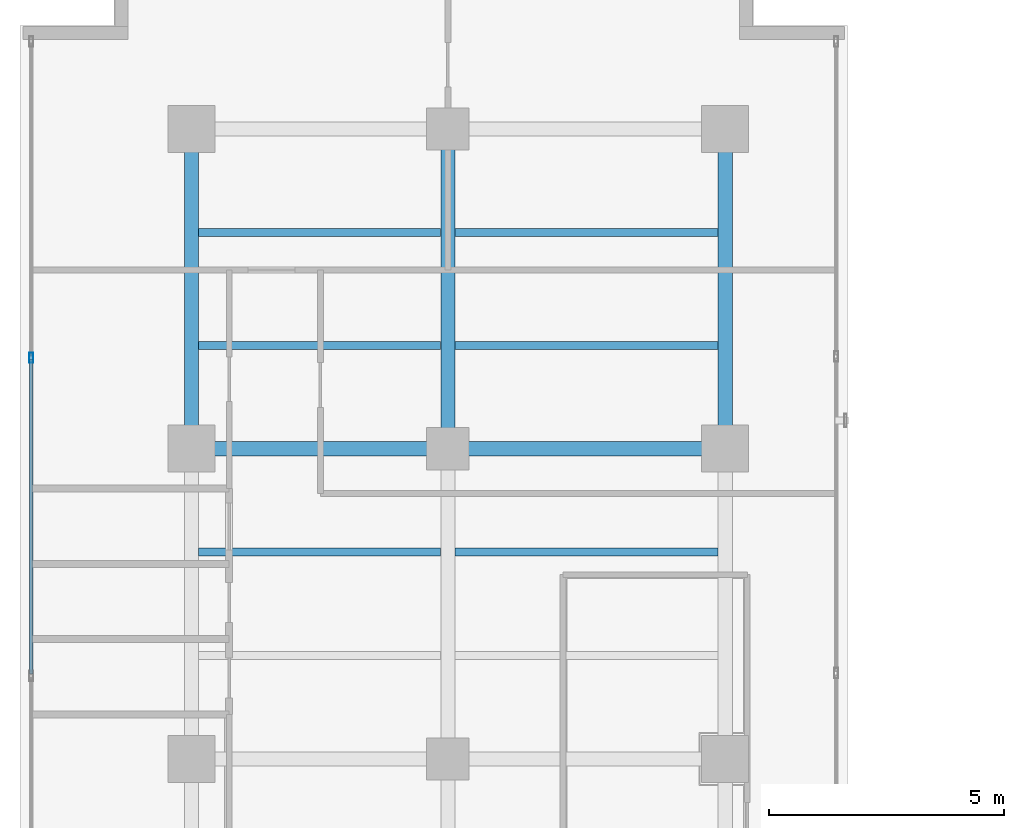
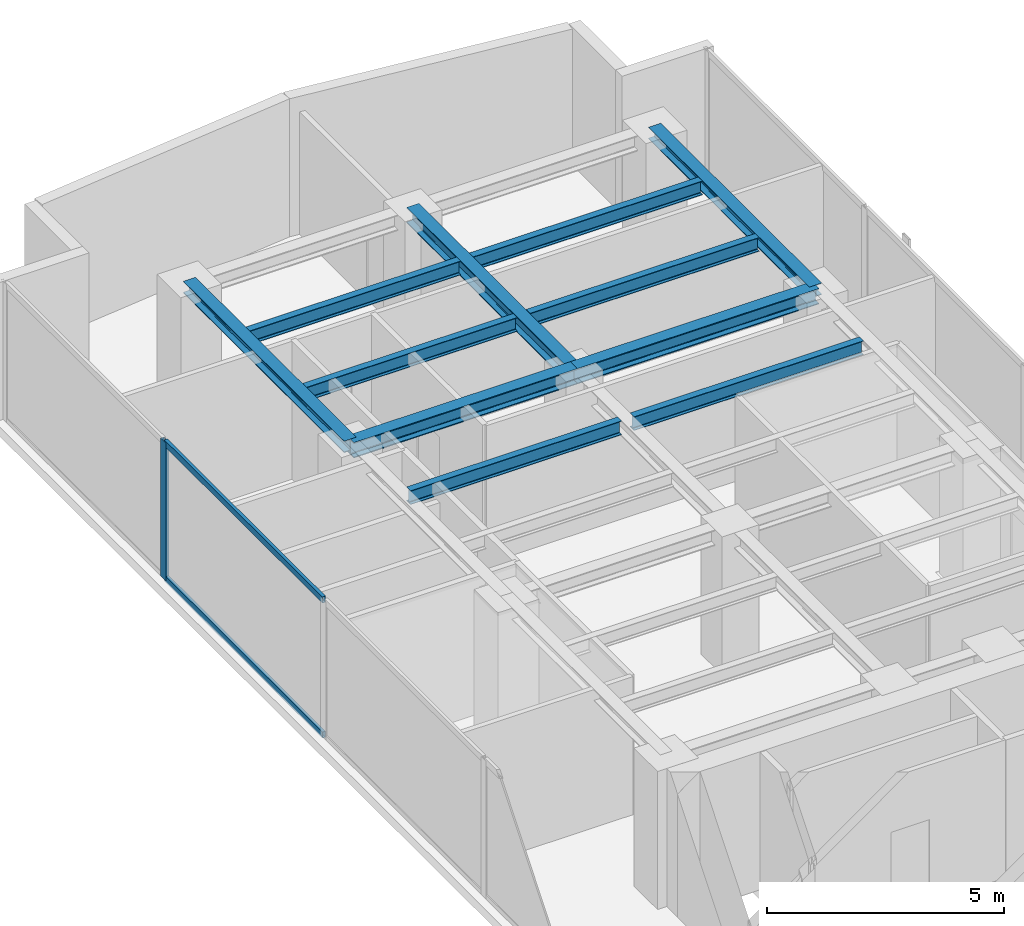
# One storey, part 12 of 23: 11 beams, 3 members, 1 element without a shape of its own.
"""IFC4 building model written with IfcOpenShell, lengths in metres."""

from ifc_helpers import new_model, si_unit, direction, frame, origin, origin_with_axes, origin_2d, place, context, subcontext, project, spatial, hollow_rectangle, i_section, extrude, source, transform, mapped, material, layer, layer_set, material_profile, profile_set, type_object, element, aggregate, save


model = new_model("IFC4")

# Units and contexts
model_context = context("Model", 3, precision=1e-05, world=origin(), true_north=direction((0.0, 1.0)))
body_context = subcontext(model_context, "Body", "Model", "MODEL_VIEW")
ifc_project = project(units=[si_unit("LENGTHUNIT", "METRE"), si_unit("AREAUNIT", "SQUARE_METRE"), si_unit("VOLUMEUNIT", "CUBIC_METRE"), si_unit("PLANEANGLEUNIT", "RADIAN"), si_unit("MASSUNIT", "GRAM", prefix="KILO")], contexts=[model_context])

# Site, building, storey
site_placement = place(None, origin())
site = spatial("IfcSite", under=ifc_project, at=site_placement, CompositionType="ELEMENT")
building_placement = place(site_placement, origin())
building = spatial("IfcBuilding", under=site, at=building_placement, Name="Kolvaren Waterfront Exchange", CompositionType="ELEMENT")
storey_placement = place(building_placement, frame((0.0, 0.0, 212.10009765625)))
storey = spatial("IfcBuildingStorey", under=building, at=storey_placement, Name="L54", CompositionType="ELEMENT", Elevation=212.10009765625)

# Beams
ifc_material_1 = material(Name="Steel S355", Category="steel")
ifc_material_profile_1 = material_profile(ifc_material_1, i_section(OverallWidth=0.300048828125, OverallDepth=0.300048828125, WebThickness=0.010986328125, FlangeThickness=0.01904296875, FilletRadius=0.027099609375, at=origin_2d()), Name="HEB300")
ifc_profile_set_1 = profile_set([ifc_material_profile_1], Name="Steel S355")
beam_type_1 = type_object("IfcBeamType", Name="STR-BM-HEB300", PredefinedType="SPANDREL", material=ifc_profile_set_1)
for number, where, z_axis, x_axis, name in (
    (1, (7.449951171875, 37.800048828125, 3.409912109375), (0.0, 1.0, 0.0), (-1.0, 0.0, 0.0), "L54 north-arm edge beam 3"),
    (2, (18.800048828125, 37.800048828125, 3.409912109375), (0.0, 1.0, 0.0), (-1.0, 0.0, 0.0), "L54 north-arm edge beam 3"),
):
    element("IfcBeam", number, at=place(storey_placement, frame(where, z_axis=z_axis, x_axis=x_axis)), inside=storey, type_object=beam_type_1, Name=name, PredefinedType="SPANDREL", context=body_context, shape_type="SweptSolid", body=[
        extrude(i_section(OverallWidth=0.300048828125, OverallDepth=0.300048828125, WebThickness=0.010986328125, FlangeThickness=0.01904296875, FilletRadius=0.027099609375, at=origin_2d()), origin(), (0.0, 0.0, 1.0), 6.800048828125),
    ])
ifc_material_profile_2 = material_profile(ifc_material_1, i_section(OverallWidth=0.300048828125, OverallDepth=0.39990234375, WebThickness=0.013427734375, FlangeThickness=0.02392578125, FilletRadius=0.027099609375, at=origin_2d()), Name="HEB400")
ifc_profile_set_2 = profile_set([ifc_material_profile_2], Name="Steel S355")
beam_type_2 = type_object("IfcBeamType", Name="STR-BM-HEB400", PredefinedType="BEAM", material=ifc_profile_set_2)
beam_1_placement = place(storey_placement, frame((7.449951171875, 37.800048828125, 3.35986328125), z_axis=(1.0, 0.0, 0.0), x_axis=(0.0, 1.0, 0.0)))
element("IfcBeam", 3, at=beam_1_placement, inside=storey, type_object=beam_type_2, Name="L54 north-arm girder 3A", PredefinedType="BEAM", context=body_context, shape_type="SweptSolid", body=[
    extrude(i_section(OverallWidth=0.300048828125, OverallDepth=0.39990234375, WebThickness=0.013427734375, FlangeThickness=0.02392578125, FilletRadius=0.027099609375, at=origin_2d()), origin(), (0.0, 0.0, 1.0), 5.449951171875),
])
beam_2_placement = place(storey_placement, frame((12.89990234375, 37.800048828125, 3.35986328125), z_axis=(1.0, 0.0, 0.0), x_axis=(0.0, 1.0, 0.0)))
element("IfcBeam", 4, at=beam_2_placement, inside=storey, type_object=beam_type_2, Name="L54 north-arm girder 3B", PredefinedType="BEAM", context=body_context, shape_type="SweptSolid", body=[
    extrude(i_section(OverallWidth=0.300048828125, OverallDepth=0.39990234375, WebThickness=0.013427734375, FlangeThickness=0.02392578125, FilletRadius=0.027099609375, at=origin_2d()), origin(), (0.0, 0.0, 1.0), 5.900146484375),
])
beam_3_placement = place(storey_placement, frame((12.89990234375, 37.800048828125, 3.35986328125), z_axis=(0.0, 1.0, 0.0), x_axis=(-1.0, 0.0, 0.0)))
element("IfcBeam", 5, at=beam_3_placement, inside=storey, type_object=beam_type_2, Name="L54 north-arm edge beam 3", PredefinedType="BEAM", context=body_context, shape_type="SweptSolid", body=[
    extrude(i_section(OverallWidth=0.300048828125, OverallDepth=0.39990234375, WebThickness=0.013427734375, FlangeThickness=0.02392578125, FilletRadius=0.027099609375, at=origin_2d()), origin(), (0.0, 0.0, 1.0), 6.800048828125),
])
ifc_material_profile_3 = material_profile(ifc_material_1, i_section(OverallWidth=0.169921875, OverallDepth=0.360107421875, WebThickness=0.008056640625, FlangeThickness=0.0126953125, FilletRadius=0.01806640625, at=origin_2d()), Name="IPE360")
ifc_profile_set_3 = profile_set([ifc_material_profile_3], Name="Steel S355")
beam_type_3 = type_object("IfcBeamType", Name="STR-BM-IPE360", PredefinedType="JOIST", material=ifc_profile_set_3)
beam_4_placement = place(storey_placement, frame((7.60205078125, 35.60009765625, 3.3798828125), z_axis=(1.0, 0.0, 0.0), x_axis=(0.0, 1.0, 0.0)))
element("IfcBeam", 6, at=beam_4_placement, inside=storey, type_object=beam_type_3, Name="L54 north-arm composite joist 4A", PredefinedType="JOIST", context=body_context, shape_type="SweptSolid", body=[
    extrude(i_section(OverallWidth=0.169921875, OverallDepth=0.360107421875, WebThickness=0.008056640625, FlangeThickness=0.0126953125, FilletRadius=0.01806640625, at=origin_2d()), origin(), (0.0, 0.0, 1.0), 5.14599609375),
])
beam_5_placement = place(storey_placement, frame((13.052001953125, 35.60009765625, 3.3798828125), z_axis=(1.0, 0.0, 0.0), x_axis=(0.0, 1.0, 0.0)))
element("IfcBeam", 7, at=beam_5_placement, inside=storey, type_object=beam_type_3, Name="L54 north-arm composite joist 4B", PredefinedType="JOIST", context=body_context, shape_type="SweptSolid", body=[
    extrude(i_section(OverallWidth=0.169921875, OverallDepth=0.360107421875, WebThickness=0.008056640625, FlangeThickness=0.0126953125, FilletRadius=0.01806640625, at=origin_2d()), origin(), (0.0, 0.0, 1.0), 5.595947265625),
])
beam_6_placement = place(storey_placement, frame((7.60205078125, 40.0, 3.3798828125), z_axis=(1.0, 0.0, 0.0), x_axis=(0.0, 1.0, 0.0)))
element("IfcBeam", 8, at=beam_6_placement, inside=storey, type_object=beam_type_3, Name="L54 north-arm composite joist 5A", PredefinedType="JOIST", context=body_context, shape_type="SweptSolid", body=[
    extrude(i_section(OverallWidth=0.169921875, OverallDepth=0.360107421875, WebThickness=0.008056640625, FlangeThickness=0.0126953125, FilletRadius=0.01806640625, at=origin_2d()), origin(), (0.0, 0.0, 1.0), 5.14599609375),
])
beam_7_placement = place(storey_placement, frame((13.052001953125, 40.0, 3.3798828125), z_axis=(1.0, 0.0, 0.0), x_axis=(0.0, 1.0, 0.0)))
element("IfcBeam", 9, at=beam_7_placement, inside=storey, type_object=beam_type_3, Name="L54 north-arm composite joist 5B", PredefinedType="JOIST", context=body_context, shape_type="SweptSolid", body=[
    extrude(i_section(OverallWidth=0.169921875, OverallDepth=0.360107421875, WebThickness=0.008056640625, FlangeThickness=0.0126953125, FilletRadius=0.01806640625, at=origin_2d()), origin(), (0.0, 0.0, 1.0), 5.595947265625),
])
beam_8_placement = place(storey_placement, frame((7.60205078125, 42.39990234375, 3.3798828125), z_axis=(1.0, 0.0, 0.0), x_axis=(0.0, 1.0, 0.0)))
element("IfcBeam", 10, at=beam_8_placement, inside=storey, type_object=beam_type_3, Name="L54 north-arm composite joist 6A", PredefinedType="JOIST", context=body_context, shape_type="SweptSolid", body=[
    extrude(i_section(OverallWidth=0.169921875, OverallDepth=0.360107421875, WebThickness=0.008056640625, FlangeThickness=0.0126953125, FilletRadius=0.01806640625, at=origin_2d()), origin(), (0.0, 0.0, 1.0), 5.14599609375),
])
beam_9_placement = place(storey_placement, frame((13.052001953125, 42.39990234375, 3.3798828125), z_axis=(1.0, 0.0, 0.0), x_axis=(0.0, 1.0, 0.0)))
element("IfcBeam", 11, at=beam_9_placement, inside=storey, type_object=beam_type_3, Name="L54 north-arm composite joist 6B", PredefinedType="JOIST", context=body_context, shape_type="SweptSolid", body=[
    extrude(i_section(OverallWidth=0.169921875, OverallDepth=0.360107421875, WebThickness=0.008056640625, FlangeThickness=0.0126953125, FilletRadius=0.01806640625, at=origin_2d()), origin(), (0.0, 0.0, 1.0), 5.595947265625),
])

# Curtain wall, members
ifc_material_2 = material(Name="Anodised aluminium 6063-T6", Category="aluminium")
ifc_layer = layer(ifc_material_2, 0.219970703125, Name="Anodised aluminium 6063-T6")
ifc_layer_set = layer_set([ifc_layer], Name="Anodised aluminium 6063-T6")
curtain_wall_type = type_object("IfcCurtainWallType", Name="ARC-CW-SYS2", PredefinedType="USERDEFINED", material=ifc_layer_set)
curtain_wall_placement = place(storey_placement, origin())
curtain_wall = element("IfcCurtainWall", 12, at=curtain_wall_placement, inside=storey, type_object=curtain_wall_type, Name="L54 stick curtain wall CW2 (CW-L54-W)", ObjectType="STICK CURTAIN WALL", PredefinedType="USERDEFINED")
ifc_material_profile_4 = material_profile(ifc_material_2, hollow_rectangle(XDim=0.074951171875, YDim=0.159912109375, WallThickness=0.00439453125, at=origin_2d()), Name="ALU-TRN-160x75x4.5")
ifc_profile_set_4 = profile_set([ifc_material_profile_4], Name="Anodised aluminium 6063-T6")
member_type_1 = type_object("IfcMemberType", Name="ARC-CWT-160", PredefinedType="USERDEFINED", material=ifc_profile_set_4)
shared_shape_1 = source(origin_with_axes(), body_context, "Body", "SweptSolid", [
    extrude(hollow_rectangle(XDim=0.074951171875, YDim=0.159912109375, WallThickness=0.00439453125, at=origin_2d()), origin(), (0.0, 0.0, 1.0), 6.686767578125),
])
member_1_placement = place(storey_placement, frame((4.0400390625, 33.006591796875, 0.037353515625), z_axis=(0.0, 1.0, 0.0), x_axis=(-1.0, 0.0, 0.0)))
member_1 = element("IfcMember", 13, at=member_1_placement, type_object=member_type_1, Name="CW2 transom 5.1", ObjectType="TRANSOM", PredefinedType="USERDEFINED", context=body_context, shape_type="MappedRepresentation", body=[
    mapped(shared_shape_1, transform((0.0, 0.0, 0.0), x_axis=(1.0, 0.0, 0.0), y_axis=(0.0, 1.0, 0.0), z_axis=(0.0, 0.0, 1.0), scale=1.0)),
])
member_2_placement = place(storey_placement, frame((4.0400390625, 33.006591796875, 3.5224609375), z_axis=(0.0, 1.0, 0.0), x_axis=(-1.0, 0.0, 0.0)))
member_2 = element("IfcMember", 14, at=member_2_placement, type_object=member_type_1, Name="CW2 transom 5.2", ObjectType="TRANSOM", PredefinedType="USERDEFINED", context=body_context, shape_type="MappedRepresentation", body=[
    mapped(shared_shape_1, transform((0.0, 0.0, 0.0), x_axis=(1.0, 0.0, 0.0), y_axis=(0.0, 1.0, 0.0), z_axis=(0.0, 0.0, 1.0), scale=1.0)),
])
ifc_material_profile_5 = material_profile(ifc_material_2, hollow_rectangle(XDim=0.080078125, YDim=0.219970703125, WallThickness=0.0048828125, at=origin_2d()), Name="ALU-MUL-220x80x5")
ifc_profile_set_5 = profile_set([ifc_material_profile_5], Name="Anodised aluminium 6063-T6")
member_type_2 = type_object("IfcMemberType", Name="ARC-CWM-220", PredefinedType="MULLION", material=ifc_profile_set_5)
shared_shape_2 = source(origin_with_axes(), body_context, "Body", "SweptSolid", [
    extrude(hollow_rectangle(XDim=0.080078125, YDim=0.219970703125, WallThickness=0.0048828125, at=origin_2d()), origin(), (0.0, 0.0, 1.0), 3.559814453125),
])
member_3_placement = place(storey_placement, frame((4.0400390625, 39.7333984375, 0.0), z_axis=(0.0, 0.0, 1.0), x_axis=(-1.0, 0.0, 0.0)))
member_3 = element("IfcMember", 15, at=member_3_placement, type_object=member_type_2, Name="CW2 mullion 6", PredefinedType="MULLION", context=body_context, shape_type="MappedRepresentation", body=[
    mapped(shared_shape_2, transform((0.0, 0.0, 0.0), x_axis=(1.0, 0.0, 0.0), y_axis=(0.0, 1.0, 0.0), z_axis=(0.0, 0.0, 1.0), scale=1.0)),
])
aggregate(curtain_wall, [member_3, member_1, member_2])

save(model, "model.ifc")
